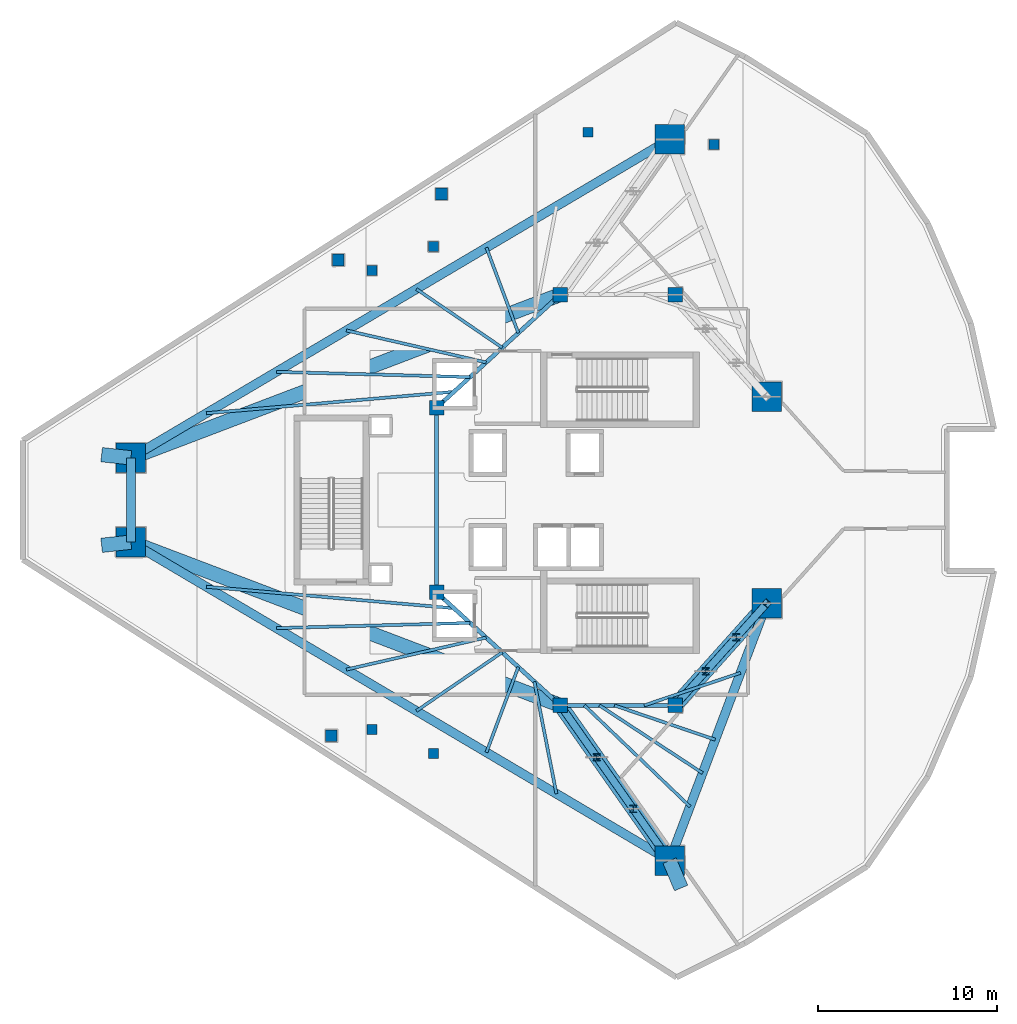
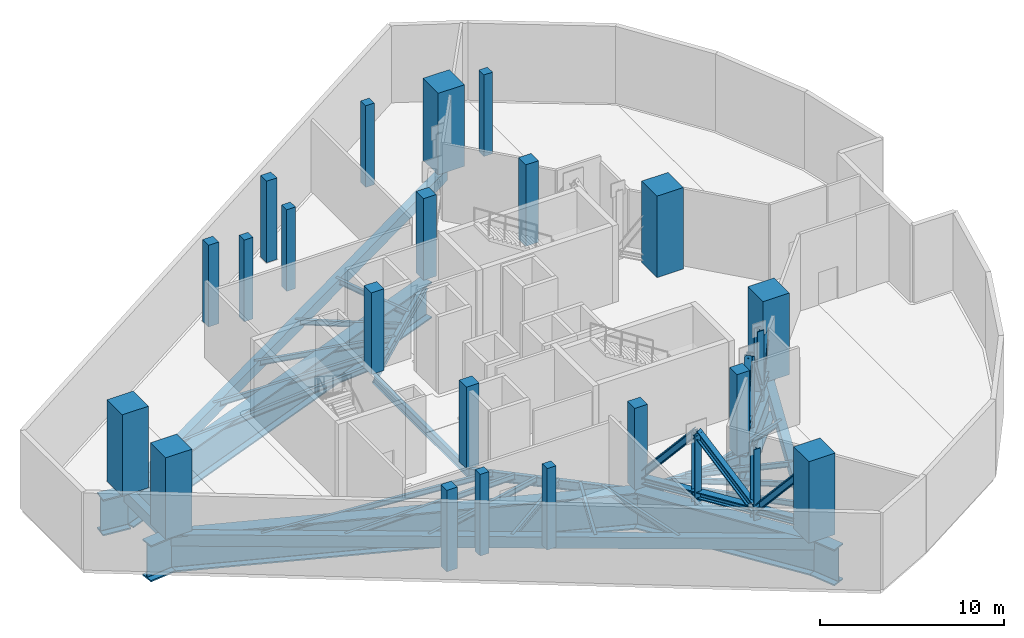
# One storey, part 1 of 9: 30 beams, 21 columns, 16 members.
"""IFC4 building model written with IfcOpenShell, lengths in metres."""

import ifcopenshell
import ifcopenshell.guid

model = None  # the IFC model being written
_history = None  # IfcOwnerHistory: only IFC2X3 demands one
_inside = {}  # id of a spatial element -> (the spatial element, [elements in it])
_under = {}  # id of a project, library or spatial element -> (it, [spatial elements below it])
_declared = {}  # id of a project -> (the project, [libraries it declares])
_typed = {}  # id of a type object -> (the type object, [elements of that type])
_made_of = {}  # id of a material, layer set ... -> (it, [elements and type objects made of it])


def new_model(schema):
    """Start an empty IFC model of exactly this schema.

    Asked for "IFC4X3", IfcOpenShell would pick the latest addendum, in which some entities
    have other attributes; the version numbers below select the first issue.
    IFC2X3 requires an IfcOwnerHistory on every rooted entity: one is made here for all.
    """
    global model, _history
    if schema == "IFC4X3":
        model = ifcopenshell.file(schema_version=(4, 3, 0, 0))
    else:
        model = ifcopenshell.file(schema=schema)
    _inside.clear()
    _under.clear()
    _declared.clear()
    _typed.clear()
    _made_of.clear()
    _history = None
    if model.schema == "IFC2X3":
        org = make("IfcOrganization", Name="unknown")
        user = make(
            "IfcPersonAndOrganization",
            ThePerson=make("IfcPerson", FamilyName="unknown"),
            TheOrganization=org,
        )
        app = make(
            "IfcApplication",
            ApplicationDeveloper=org,
            Version="unknown",
            ApplicationFullName="unknown",
            ApplicationIdentifier="unknown",
        )
        _history = make(
            "IfcOwnerHistory",
            OwningUser=user,
            OwningApplication=app,
            ChangeAction="ADDED",
            CreationDate=0,
        )
    return model


def make(cls, **values):
    """One entity of the class cls with the attributes given. An attribute that is None is left unset."""
    return model.create_entity(
        cls, **{name: value for name, value in values.items() if value is not None}
    )


def rooted(cls, **values):
    """An entity with a GlobalId (a new one), such as an element, a storey or a relation."""
    return make(cls, GlobalId=ifcopenshell.guid.new(), OwnerHistory=_history, **values)


def si_unit(unit_type, name, prefix=None):
    """IfcSIUnit, for example si_unit("LENGTHUNIT", "METRE", prefix="MILLI")."""
    return make("IfcSIUnit", UnitType=unit_type, Prefix=prefix, Name=name)


def assignment(units):
    """IfcUnitAssignment: the units of a project."""
    return None if units is None else make("IfcUnitAssignment", Units=units)


def point(xyz):
    """IfcCartesianPoint."""
    return None if xyz is None else make("IfcCartesianPoint", Coordinates=xyz)


def direction(xyz):
    """IfcDirection."""
    return None if xyz is None else make("IfcDirection", DirectionRatios=xyz)


def frame(location, z_axis=None, x_axis=None):
    """IfcAxis2Placement3D, a coordinate frame: its origin and axes. An axis left out is left unset."""
    return make(
        "IfcAxis2Placement3D",
        Location=point(location),
        Axis=direction(z_axis),
        RefDirection=direction(x_axis),
    )


def frame_2d(location, x_axis=None):
    """IfcAxis2Placement2D, a coordinate frame in the plane: its origin and x axis."""
    return make(
        "IfcAxis2Placement2D", Location=point(location), RefDirection=direction(x_axis)
    )


def origin():
    """The frame at (0, 0, 0) with its axes left unset."""
    return frame((0.0, 0.0, 0.0))


def origin_2d():
    """The frame at (0, 0) in the plane with its x axis left unset."""
    return frame_2d((0.0, 0.0))


def place(relative_to, where):
    """IfcLocalPlacement: puts the frame where relative to a parent placement (None: the world)."""
    return make(
        "IfcLocalPlacement", PlacementRelTo=relative_to, RelativePlacement=where
    )


def context(
    kind, dimensions, precision=None, world=None, true_north=None, identifier=None
):
    """IfcGeometricRepresentationContext, for example the 3D "Model" context."""
    return make(
        "IfcGeometricRepresentationContext",
        ContextIdentifier=identifier,
        ContextType=kind,
        CoordinateSpaceDimension=dimensions,
        Precision=precision,
        WorldCoordinateSystem=world,
        TrueNorth=true_north,
    )


def subcontext(parent, identifier, kind, view, scale=None):
    """IfcGeometricRepresentationSubContext, for example "Body" below "Model"."""
    return make(
        "IfcGeometricRepresentationSubContext",
        ContextIdentifier=identifier,
        ContextType=kind,
        ParentContext=parent,
        TargetScale=scale,
        TargetView=view,
    )


def project(units=None, contexts=None):
    """IfcProject with its units and contexts."""
    return rooted(
        "IfcProject",
        Name="project",
        RepresentationContexts=contexts,
        UnitsInContext=assignment(units),
    )


def spatial(cls, under=None, at=None, **own):
    """A site, building, storey or space (cls), placed at a placement, below another one or the project."""
    s = rooted(cls, ObjectPlacement=at, **own)
    if under is not None:
        _under.setdefault(under.id(), (under, []))[1].append(s)
    return s


def profile(cls, at=None, kind="AREA", **sizes):
    """A parametric profile (cls). Its sizes go by their IFC names, for example OverallWidth=200.0."""
    return make(cls, ProfileType=kind, Position=at, **sizes)


def rectangle(**sizes):
    """IfcRectangleProfileDef."""
    return profile("IfcRectangleProfileDef", **sizes)


def i_section(**sizes):
    """IfcIShapeProfileDef."""
    return profile("IfcIShapeProfileDef", **sizes)


def extrude(swept, where, along, depth):
    """IfcExtrudedAreaSolid: the profile swept, set in the frame where, extruded along a direction by depth."""
    return make(
        "IfcExtrudedAreaSolid",
        SweptArea=swept,
        Position=where,
        ExtrudedDirection=direction(along),
        Depth=depth,
    )


def shape(context_of_items, identifier, shape_type, items):
    """IfcShapeRepresentation: the items that make up one representation, for example the "Body"."""
    return make(
        "IfcShapeRepresentation",
        ContextOfItems=context_of_items,
        RepresentationIdentifier=identifier,
        RepresentationType=shape_type,
        Items=items,
    )


def material(Name=None, Category=None):
    """IfcMaterial."""
    return make("IfcMaterial", Name=Name, Category=Category)


def material_profile(
    of_material, cross_section, Name=None, Category=None, Priority=None
):
    """IfcMaterialProfile: a cross section and its material."""
    return make(
        "IfcMaterialProfile",
        Name=Name,
        Material=of_material,
        Profile=cross_section,
        Priority=Priority,
        Category=Category,
    )


def profile_set(profiles, Name=None, composite=None):
    """IfcMaterialProfileSet."""
    return make(
        "IfcMaterialProfileSet",
        Name=Name,
        MaterialProfiles=profiles,
        CompositeProfile=composite,
    )


def made_of(thing, what):
    """Note that an element or type object is made of a material, layer set ...; save() writes the relation."""
    if what is not None:
        _made_of.setdefault(what.id(), (what, []))[1].append(thing)
    return thing


def type_object(cls, material=None, **own):
    """A type object (cls), such as IfcWallType, which elements share."""
    return made_of(rooted(cls, **own), material)


def element(
    cls,
    number,
    at=None,
    inside=None,
    cuts=None,
    type_object=None,
    material=None,
    context=None,
    identifier="Body",
    shape_type=None,
    held_by="IfcProductDefinitionShape",
    body=None,
    shapes=None,
    **own,
):
    """One element of the class cls, such as IfcWall. Its Tag is "e" and its number.

    at: its placement. inside: the storey or other place that contains it. cuts: it is an
    opening in that element (IfcRelVoidsElement). A single representation is given by context,
    identifier, shape_type and body (its items); several are given by shapes. held_by: the class
    of the entity that holds the representations. save() writes the other relations.
    """
    e = rooted(cls, Tag="e%d" % number, ObjectPlacement=at, **own)
    if body is not None:
        shapes = [shape(context, identifier, shape_type, body)]
    if shapes is not None:
        e.Representation = make(held_by, Representations=shapes)
    if inside is not None:
        _inside.setdefault(inside.id(), (inside, []))[1].append(e)
    if cuts is not None:
        rooted(
            "IfcRelVoidsElement", RelatingBuildingElement=cuts, RelatedOpeningElement=e
        )
    if type_object is not None:
        _typed.setdefault(type_object.id(), (type_object, []))[1].append(e)
    return made_of(e, material)


def aggregate(whole, parts):
    """IfcRelAggregates: a whole, such as a stair, and the parts it consists of."""
    return rooted("IfcRelAggregates", RelatingObject=whole, RelatedObjects=parts)


def save(model, path):
    """Write the relations noted so far, then the file.

    IfcRelAggregates (storeys below a building ...), IfcRelContainedInSpatialStructure (elements
    in a storey), IfcRelDefinesByType, IfcRelAssociatesMaterial and IfcRelDeclares: one each for
    every whole, place, type object, material and project.
    """
    for whole, parts in _under.values():
        aggregate(whole, parts)
    for where, things in _inside.values():
        rooted(
            "IfcRelContainedInSpatialStructure",
            RelatedElements=things,
            RelatingStructure=where,
        )
    for kind, things in _typed.values():
        rooted("IfcRelDefinesByType", RelatedObjects=things, RelatingType=kind)
    for what, things in _made_of.values():
        rooted("IfcRelAssociatesMaterial", RelatedObjects=things, RelatingMaterial=what)
    for by, libraries in _declared.values():
        rooted("IfcRelDeclares", RelatingContext=by, RelatedDefinitions=libraries)
    model.write(path)


model = new_model("IFC4")

# Units and contexts
model_context = context("Model", 3, precision=1e-05, world=origin(), true_north=direction((0.0, 1.0)))
body_context = subcontext(model_context, "Body", "Model", "MODEL_VIEW")
ifc_project = project(units=[si_unit("LENGTHUNIT", "METRE"), si_unit("AREAUNIT", "SQUARE_METRE"), si_unit("VOLUMEUNIT", "CUBIC_METRE"), si_unit("PLANEANGLEUNIT", "RADIAN"), si_unit("MASSUNIT", "GRAM", prefix="KILO")], contexts=[model_context])

# Site, building, storey
site_placement = place(None, origin())
site = spatial("IfcSite", under=ifc_project, at=site_placement, CompositionType="ELEMENT")
building_placement = place(site_placement, origin())
building = spatial("IfcBuilding", under=site, at=building_placement, Name="Qorvath Tower", CompositionType="ELEMENT")
storey_placement = place(building_placement, frame((0.0, 0.0, 249.60009765625)))
storey = spatial("IfcBuildingStorey", under=building, at=storey_placement, Name="L58", CompositionType="ELEMENT", Elevation=249.60009765625)

# Columns
ifc_material_1 = material(Name="Concrete C60/75", Category="concrete")
ifc_material_profile_1 = material_profile(ifc_material_1, rectangle(XDim=1.64990234375, YDim=1.64990234375, at=origin_2d()), Name="MC 1650x1650")
ifc_profile_set_1 = profile_set([ifc_material_profile_1], Name="Concrete C60/75")
column_type_1 = type_object("IfcColumnType", Name="COL-MC5", PredefinedType="COLUMN", material=ifc_profile_set_1)
for number, where, z_axis, x_axis, name in (
    (1, (-47.53759765625, 2.349609375, 0.0), (0.0, 0.0, 1.0), (1.0, 0.0, 0.0), "Composite Mega-Column MC1 L58"),
    (2, (-47.53759765625, -2.349609375, 0.0), (0.0, 0.0, 1.0), (1.0, 0.0, 0.0), "Composite Mega-Column MC2 L58"),
    (3, (-17.515380859375, -20.1015625, 0.0), (0.0, 0.0, 1.0), (1.0, 0.0, 0.0), "Composite Mega-Column MC3 L58"),
    (4, (-12.0966796875, -5.7578125, 0.0), (0.0, 0.0, 1.0), (1.0, 0.0, 0.0), "Composite Mega-Column MC4 L58"),
    (5, (-12.0966796875, 5.7578125, 0.0), (0.0, 0.0, 1.0), (1.0, 0.0, 0.0), "Composite Mega-Column MC5 L58"),
    (6, (-17.515380859375, 20.1015625, 0.0), (0.0, 0.0, 1.0), (1.0, 0.0, 0.0), "Composite Mega-Column MC6 L58"),
):
    element("IfcColumn", number, at=place(storey_placement, frame(where, z_axis=z_axis, x_axis=x_axis)), inside=storey, type_object=column_type_1, Name=name, PredefinedType="COLUMN", context=body_context, shape_type="SweptSolid", body=[
        extrude(rectangle(XDim=1.64990234375, YDim=1.64990234375, at=origin_2d()), origin(), (0.0, 0.0, 1.0), 5.39990234375),
    ])
ifc_material_2 = material(Name="Concrete C50/60", Category="concrete")
ifc_material_profile_2 = material_profile(ifc_material_2, rectangle(XDim=0.800048828125, YDim=0.800048828125, at=origin_2d()), Name="RC 800x800")
ifc_profile_set_2 = profile_set([ifc_material_profile_2], Name="Concrete C50/60")
column_type_2 = type_object("IfcColumnType", Name="COL-RC4", PredefinedType="COLUMN", material=ifc_profile_set_2)
for number, where, z_axis, x_axis, name in (
    (7, (-23.60009765625, 11.449951171875, 0.0), (0.0, 0.0, 1.0), (1.0, 0.0, 0.0), "Core Spine Column CC1 L58"),
    (8, (-17.199951171875, 11.449951171875, 0.0), (0.0, 0.0, 1.0), (1.0, 0.0, 0.0), "Core Spine Column CC2 L58"),
    (9, (-17.199951171875, -11.449951171875, 0.0), (0.0, 0.0, 1.0), (1.0, 0.0, 0.0), "Core Spine Column CC3 L58"),
    (10, (-23.60009765625, -11.449951171875, 0.0), (0.0, 0.0, 1.0), (1.0, 0.0, 0.0), "Core Spine Column CC4 L58"),
    (11, (-30.5, 5.14990234375, 0.0), (0.0, 0.0, 1.0), (1.0, 0.0, 0.0), "Core Spine Column CC5 L58"),
    (12, (-30.5, -5.14990234375, 0.0), (0.0, 0.0, 1.0), (1.0, 0.0, 0.0), "Core Spine Column CC6 L58"),
):
    element("IfcColumn", number, at=place(storey_placement, frame(where, z_axis=z_axis, x_axis=x_axis)), inside=storey, type_object=column_type_2, Name=name, PredefinedType="COLUMN", context=body_context, shape_type="SweptSolid", body=[
        extrude(rectangle(XDim=0.800048828125, YDim=0.800048828125, at=origin_2d()), origin(), (0.0, 0.0, 1.0), 5.39990234375),
    ])
ifc_material_3 = material(Name="Concrete C45/55", Category="concrete")
ifc_material_profile_3 = material_profile(ifc_material_3, rectangle(XDim=0.64990234375, YDim=0.64990234375, at=origin_2d()), Name="RC 650x650")
ifc_profile_set_3 = profile_set([ifc_material_profile_3], Name="Concrete C45/55")
column_type_3 = type_object("IfcColumnType", Name="COL-RC6", PredefinedType="COLUMN", material=ifc_profile_set_3)
for number, where, z_axis, x_axis, name in (
    (13, (-35.980712890625, 13.380859375, 0.0), (0.0, 0.0, 1.0), (1.0, 0.0, 0.0), "Loggia Frame Pier Column LGF1 L58"),
    (14, (-36.36474609375, -13.135498046875, 0.0), (0.0, 0.0, 1.0), (1.0, 0.0, 0.0), "Loggia Frame Pier Column LGF2 L58"),
    (15, (-30.224853515625, 17.0595703125, 0.0), (0.0, 0.0, 1.0), (1.0, 0.0, 0.0), "Loggia Frame Pier Column LGF3 L58"),
):
    element("IfcColumn", number, at=place(storey_placement, frame(where, z_axis=z_axis, x_axis=x_axis)), inside=storey, type_object=column_type_3, Name=name, PredefinedType="COLUMN", context=body_context, shape_type="SweptSolid", body=[
        extrude(rectangle(XDim=0.64990234375, YDim=0.64990234375, at=origin_2d()), origin(), (0.0, 0.0, 1.0), 5.39990234375),
    ])
ifc_material_4 = material(Name="Concrete C45/55", Category="concrete")
ifc_material_profile_4 = material_profile(ifc_material_4, rectangle(XDim=0.550048828125, YDim=0.550048828125, at=origin_2d()), Name="RC 550x550")
ifc_profile_set_4 = profile_set([ifc_material_profile_4], Name="Concrete C45/55")
column_type_4 = type_object("IfcColumnType", Name="COL-RC7", PredefinedType="COLUMN", material=ifc_profile_set_4)
for number, where, z_axis, x_axis, name in (
    (16, (-34.104248046875, 12.79248046875, 0.0), (0.0, 0.0, 1.0), (1.0, 0.0, 0.0), "Loggia Frame Pier Column LGG1 L58"),
    (17, (-34.104248046875, -12.79248046875, 0.0), (0.0, 0.0, 1.0), (1.0, 0.0, 0.0), "Loggia Frame Pier Column LGG2 L58"),
    (18, (-22.05322265625, 20.494873046875, 0.0), (0.0, 0.0, 1.0), (1.0, 0.0, 0.0), "Loggia Frame Pier Column LGG3 L58"),
    (19, (-30.67724609375, 14.124267578125, 0.0), (0.0, 0.0, 1.0), (1.0, 0.0, 0.0), "Loggia Frame Pier Column LGH1 L58"),
    (20, (-30.67724609375, -14.124267578125, 0.0), (0.0, 0.0, 1.0), (1.0, 0.0, 0.0), "Loggia Frame Pier Column LGH2 L58"),
    (21, (-15.046142578125, 19.818115234375, 0.0), (0.0, 0.0, 1.0), (1.0, 0.0, 0.0), "Loggia Frame Pier Column LGH3 L58"),
):
    element("IfcColumn", number, at=place(storey_placement, frame(where, z_axis=z_axis, x_axis=x_axis)), inside=storey, type_object=column_type_4, Name=name, PredefinedType="COLUMN", context=body_context, shape_type="SweptSolid", body=[
        extrude(rectangle(XDim=0.550048828125, YDim=0.550048828125, at=origin_2d()), origin(), (0.0, 0.0, 1.0), 5.39990234375),
    ])

# Beams
ifc_material_5 = material(Name="Steel ASTM A992 Grade 50", Category="steel")
ifc_material_profile_5 = material_profile(ifc_material_5, i_section(OverallWidth=0.22998046875, OverallDepth=0.616943359375, WebThickness=0.01318359375, FlangeThickness=0.022216796875, FilletRadius=0.014892578125, at=origin_2d()), Name="W24x94")
ifc_profile_set_5 = profile_set([ifc_material_profile_5], Name="Steel ASTM A992 Grade 50")
beam_type_1 = type_object("IfcBeamType", Name="BM-FG6", PredefinedType="BEAM", material=ifc_profile_set_5)
beam_1_placement = place(storey_placement, frame((-17.199951171875, -11.449951171875, -0.608642578125), z_axis=(-1.0, 0.0, 0.0), x_axis=(0.0, -1.0, 0.0)))
element("IfcBeam", 22, at=beam_1_placement, inside=storey, type_object=beam_type_1, Name="Core Ring Girder CC3-CC4 L58", PredefinedType="BEAM", context=body_context, shape_type="SweptSolid", body=[
    extrude(i_section(OverallWidth=0.22998046875, OverallDepth=0.616943359375, WebThickness=0.01318359375, FlangeThickness=0.022216796875, FilletRadius=0.014892578125, at=origin_2d()), origin(), (0.0, 0.0, 1.0), 6.400146484375),
])
beam_2_placement = place(storey_placement, frame((-23.60009765625, -11.449951171875, -0.608642578125), z_axis=(-0.73847813985, 0.6742774184, 0.0), x_axis=(-0.6742774184, -0.73847813985, 0.0)))
element("IfcBeam", 23, at=beam_2_placement, inside=storey, type_object=beam_type_1, Name="Core Ring Girder CC4-CC6 L58", PredefinedType="BEAM", context=body_context, shape_type="SweptSolid", body=[
    extrude(i_section(OverallWidth=0.22998046875, OverallDepth=0.616943359375, WebThickness=0.01318359375, FlangeThickness=0.022216796875, FilletRadius=0.014892578125, at=origin_2d()), origin(), (0.0, 0.0, 1.0), 9.343505859375),
])
beam_3_placement = place(storey_placement, frame((-30.5, -5.14990234375, -0.608642578125), z_axis=(0.0, 1.0, 0.0), x_axis=(-1.0, 0.0, 0.0)))
element("IfcBeam", 24, at=beam_3_placement, inside=storey, type_object=beam_type_1, Name="Core Ring Girder CC6-CC5 L58", PredefinedType="BEAM", context=body_context, shape_type="SweptSolid", body=[
    extrude(i_section(OverallWidth=0.22998046875, OverallDepth=0.616943359375, WebThickness=0.01318359375, FlangeThickness=0.022216796875, FilletRadius=0.014892578125, at=origin_2d()), origin(), (0.0, 0.0, 1.0), 10.2998046875),
])
beam_4_placement = place(storey_placement, frame((-30.5, 5.14990234375, -0.608642578125), z_axis=(0.73847813985, 0.6742774184, 0.0), x_axis=(-0.6742774184, 0.73847813985, 0.0)))
element("IfcBeam", 25, at=beam_4_placement, inside=storey, type_object=beam_type_1, Name="Core Ring Girder CC5-CC1 L58", PredefinedType="BEAM", context=body_context, shape_type="SweptSolid", body=[
    extrude(i_section(OverallWidth=0.22998046875, OverallDepth=0.616943359375, WebThickness=0.01318359375, FlangeThickness=0.022216796875, FilletRadius=0.014892578125, at=origin_2d()), origin(), (0.0, 0.0, 1.0), 9.343505859375),
])
ifc_material_6 = material(Name="Steel ASTM A992 Grade 50", Category="steel")
ifc_material_profile_6 = material_profile(ifc_material_6, i_section(OverallWidth=0.1708984375, OverallDepth=0.35107421875, WebThickness=0.0068359375, FlangeThickness=0.009765625, FilletRadius=0.010009765625, at=origin_2d()), Name="W14x30")
ifc_profile_set_6 = profile_set([ifc_material_profile_6], Name="Steel ASTM A992 Grade 50")
beam_type_2 = type_object("IfcBeamType", Name="BM-FJ4", PredefinedType="JOIST", material=ifc_profile_set_6)
beam_5_placement = place(storey_placement, frame((-18.927978515625, -11.449951171875, -0.4755859375), z_axis=(0.947086298547, 0.32097903842, 0.0), x_axis=(-0.32097903842, 0.947086298547, 0.0)))
element("IfcBeam", 26, at=beam_5_placement, inside=storey, type_object=beam_type_2, Name="Composite Floor Joist SE2 L58", PredefinedType="JOIST", context=body_context, shape_type="SweptSolid", body=[
    extrude(i_section(OverallWidth=0.1708984375, OverallDepth=0.35107421875, WebThickness=0.0068359375, FlangeThickness=0.009765625, FilletRadius=0.010009765625, at=origin_2d()), origin(), (0.0, 0.0, 1.0), 5.66796875),
])
beam_6_placement = place(storey_placement, frame((-20.592041015625, -11.449951171875, -0.4755859375), z_axis=(0.946863164885, -0.321636669216, 0.0), x_axis=(0.321636669216, 0.946863164885, 0.0)))
element("IfcBeam", 27, at=beam_6_placement, inside=storey, type_object=beam_type_2, Name="Composite Floor Joist SE4 L58", PredefinedType="JOIST", context=body_context, shape_type="SweptSolid", body=[
    extrude(i_section(OverallWidth=0.1708984375, OverallDepth=0.35107421875, WebThickness=0.0068359375, FlangeThickness=0.009765625, FilletRadius=0.010009765625, at=origin_2d()), origin(), (0.0, 0.0, 1.0), 5.93896484375),
])
beam_7_placement = place(storey_placement, frame((-21.424072265625, -11.449951171875, -0.4755859375), z_axis=(0.835992964387, -0.548740160272, 0.0), x_axis=(0.548740160272, 0.835992964387, 0.0)))
element("IfcBeam", 28, at=beam_7_placement, inside=storey, type_object=beam_type_2, Name="Composite Floor Joist SE5 L58", PredefinedType="JOIST", context=body_context, shape_type="SweptSolid", body=[
    extrude(i_section(OverallWidth=0.1708984375, OverallDepth=0.35107421875, WebThickness=0.0068359375, FlangeThickness=0.009765625, FilletRadius=0.010009765625, at=origin_2d()), origin(), (0.0, 0.0, 1.0), 6.879150390625),
])
beam_8_placement = place(storey_placement, frame((-22.256103515625, -11.449951171875, -0.4755859375), z_axis=(0.721625044611, -0.692284114356, 0.0), x_axis=(0.692284114356, 0.721625044611, 0.0)))
element("IfcBeam", 29, at=beam_8_placement, inside=storey, type_object=beam_type_2, Name="Composite Floor Joist SE6 L58", PredefinedType="JOIST", context=body_context, shape_type="SweptSolid", body=[
    extrude(i_section(OverallWidth=0.1708984375, OverallDepth=0.35107421875, WebThickness=0.0068359375, FlangeThickness=0.009765625, FilletRadius=0.010009765625, at=origin_2d()), origin(), (0.0, 0.0, 1.0), 8.14599609375),
])
beam_9_placement = place(storey_placement, frame((-29.533935546875, 6.031982421875, -0.4755859375), z_axis=(-0.996257895131, -0.086430355719, 0.0), x_axis=(0.086430355719, -0.996257895131, 0.0)))
element("IfcBeam", 30, at=beam_9_placement, inside=storey, type_object=beam_type_2, Name="Composite Floor Joist NW1 L58", PredefinedType="JOIST", context=body_context, shape_type="SweptSolid", body=[
    extrude(i_section(OverallWidth=0.1708984375, OverallDepth=0.35107421875, WebThickness=0.0068359375, FlangeThickness=0.009765625, FilletRadius=0.010009765625, at=origin_2d()), origin(), (0.0, 0.0, 1.0), 13.852294921875),
])
beam_10_placement = place(storey_placement, frame((-28.636962890625, 6.85107421875, -0.4755859375), z_axis=(-0.999635580213, 0.026994569327, 0.0), x_axis=(-0.026994569327, -0.999635580213, 0.0)))
element("IfcBeam", 31, at=beam_10_placement, inside=storey, type_object=beam_type_2, Name="Composite Floor Joist NW2 L58", PredefinedType="JOIST", context=body_context, shape_type="SweptSolid", body=[
    extrude(i_section(OverallWidth=0.1708984375, OverallDepth=0.35107421875, WebThickness=0.0068359375, FlangeThickness=0.009765625, FilletRadius=0.010009765625, at=origin_2d()), origin(), (0.0, 0.0, 1.0), 10.798583984375),
])
beam_11_placement = place(storey_placement, frame((-27.739990234375, 7.669921875, -0.4755859375), z_axis=(-0.974852627195, 0.222850522212, 0.0), x_axis=(-0.222850522212, -0.974852627195, 0.0)))
element("IfcBeam", 32, at=beam_11_placement, inside=storey, type_object=beam_type_2, Name="Composite Floor Joist NW3 L58", PredefinedType="JOIST", context=body_context, shape_type="SweptSolid", body=[
    extrude(i_section(OverallWidth=0.1708984375, OverallDepth=0.35107421875, WebThickness=0.0068359375, FlangeThickness=0.009765625, FilletRadius=0.010009765625, at=origin_2d()), origin(), (0.0, 0.0, 1.0), 7.98974609375),
])
beam_12_placement = place(storey_placement, frame((-26.843017578125, 8.489013671875, -0.4755859375), z_axis=(-0.82557592702, 0.564291049658, 0.0), x_axis=(-0.564291049658, -0.82557592702, 0.0)))
element("IfcBeam", 33, at=beam_12_placement, inside=storey, type_object=beam_type_2, Name="Composite Floor Joist NW4 L58", PredefinedType="JOIST", context=body_context, shape_type="SweptSolid", body=[
    extrude(i_section(OverallWidth=0.1708984375, OverallDepth=0.35107421875, WebThickness=0.0068359375, FlangeThickness=0.009765625, FilletRadius=0.010009765625, at=origin_2d()), origin(), (0.0, 0.0, 1.0), 5.793212890625),
])
beam_13_placement = place(storey_placement, frame((-25.946044921875, 9.30810546875, -0.4755859375), z_axis=(-0.349858795354, 0.936802446257, 0.0), x_axis=(-0.936802446257, -0.349858795354, 0.0)))
element("IfcBeam", 34, at=beam_13_placement, inside=storey, type_object=beam_type_2, Name="Composite Floor Joist NW5 L58", PredefinedType="JOIST", context=body_context, shape_type="SweptSolid", body=[
    extrude(i_section(OverallWidth=0.1708984375, OverallDepth=0.35107421875, WebThickness=0.0068359375, FlangeThickness=0.009765625, FilletRadius=0.010009765625, at=origin_2d()), origin(), (0.0, 0.0, 1.0), 5.078857421875),
])
beam_14_placement = place(storey_placement, frame((-29.533935546875, -6.031982421875, -0.4755859375), z_axis=(-0.996257895131, 0.086430355719, 0.0), x_axis=(-0.086430355719, -0.996257895131, 0.0)))
element("IfcBeam", 35, at=beam_14_placement, inside=storey, type_object=beam_type_2, Name="Composite Floor Joist SW1 L58", PredefinedType="JOIST", context=body_context, shape_type="SweptSolid", body=[
    extrude(i_section(OverallWidth=0.1708984375, OverallDepth=0.35107421875, WebThickness=0.0068359375, FlangeThickness=0.009765625, FilletRadius=0.010009765625, at=origin_2d()), origin(), (0.0, 0.0, 1.0), 13.852294921875),
])
beam_15_placement = place(storey_placement, frame((-28.636962890625, -6.85107421875, -0.4755859375), z_axis=(-0.999635580213, -0.026994569327, 0.0), x_axis=(0.026994569327, -0.999635580213, 0.0)))
element("IfcBeam", 36, at=beam_15_placement, inside=storey, type_object=beam_type_2, Name="Composite Floor Joist SW2 L58", PredefinedType="JOIST", context=body_context, shape_type="SweptSolid", body=[
    extrude(i_section(OverallWidth=0.1708984375, OverallDepth=0.35107421875, WebThickness=0.0068359375, FlangeThickness=0.009765625, FilletRadius=0.010009765625, at=origin_2d()), origin(), (0.0, 0.0, 1.0), 10.798583984375),
])
beam_16_placement = place(storey_placement, frame((-27.739990234375, -7.669921875, -0.4755859375), z_axis=(-0.974852627195, -0.222850522212, 0.0), x_axis=(0.222850522212, -0.974852627195, 0.0)))
element("IfcBeam", 37, at=beam_16_placement, inside=storey, type_object=beam_type_2, Name="Composite Floor Joist SW3 L58", PredefinedType="JOIST", context=body_context, shape_type="SweptSolid", body=[
    extrude(i_section(OverallWidth=0.1708984375, OverallDepth=0.35107421875, WebThickness=0.0068359375, FlangeThickness=0.009765625, FilletRadius=0.010009765625, at=origin_2d()), origin(), (0.0, 0.0, 1.0), 7.98974609375),
])
beam_17_placement = place(storey_placement, frame((-26.843017578125, -8.489013671875, -0.4755859375), z_axis=(-0.82557592702, -0.564291049658, 0.0), x_axis=(0.564291049658, -0.82557592702, 0.0)))
element("IfcBeam", 38, at=beam_17_placement, inside=storey, type_object=beam_type_2, Name="Composite Floor Joist SW4 L58", PredefinedType="JOIST", context=body_context, shape_type="SweptSolid", body=[
    extrude(i_section(OverallWidth=0.1708984375, OverallDepth=0.35107421875, WebThickness=0.0068359375, FlangeThickness=0.009765625, FilletRadius=0.010009765625, at=origin_2d()), origin(), (0.0, 0.0, 1.0), 5.793212890625),
])
beam_18_placement = place(storey_placement, frame((-25.946044921875, -9.30810546875, -0.4755859375), z_axis=(-0.349858795354, -0.936802446257, 0.0), x_axis=(0.936802446257, -0.349858795354, 0.0)))
element("IfcBeam", 39, at=beam_18_placement, inside=storey, type_object=beam_type_2, Name="Composite Floor Joist SW5 L58", PredefinedType="JOIST", context=body_context, shape_type="SweptSolid", body=[
    extrude(i_section(OverallWidth=0.1708984375, OverallDepth=0.35107421875, WebThickness=0.0068359375, FlangeThickness=0.009765625, FilletRadius=0.010009765625, at=origin_2d()), origin(), (0.0, 0.0, 1.0), 5.078857421875),
])
beam_19_placement = place(storey_placement, frame((-25.049072265625, -10.126953125, -0.4755859375), z_axis=(0.193040016911, -0.981190884523, 0.0), x_axis=(0.981190884523, 0.193040016911, 0.0)))
element("IfcBeam", 40, at=beam_19_placement, inside=storey, type_object=beam_type_2, Name="Composite Floor Joist SW6 L58", PredefinedType="JOIST", context=body_context, shape_type="SweptSolid", body=[
    extrude(i_section(OverallWidth=0.1708984375, OverallDepth=0.35107421875, WebThickness=0.0068359375, FlangeThickness=0.009765625, FilletRadius=0.010009765625, at=origin_2d()), origin(), (0.0, 0.0, 1.0), 6.366455078125),
])
ifc_material_7 = material(Name="Concrete C45/55", Category="concrete")
ifc_material_profile_7 = material_profile(ifc_material_7, rectangle(XDim=0.5, YDim=0.75, at=origin_2d()), Name="RCB 750x500")
ifc_profile_set_7 = profile_set([ifc_material_profile_7], Name="Concrete C45/55")
beam_type_3 = type_object("IfcBeamType", Name="BM-RCB3", PredefinedType="SPANDREL", material=ifc_profile_set_7)
beam_20_placement = place(storey_placement, frame((-47.53759765625, 2.349609375, -0.675048828125), z_axis=(0.0, -1.0, 0.0), x_axis=(1.0, 0.0, 0.0)))
element("IfcBeam", 41, at=beam_20_placement, inside=storey, type_object=beam_type_3, Name="Perimeter Loggia Frame Beam MC1-MC2 L58", PredefinedType="SPANDREL", context=body_context, shape_type="SweptSolid", body=[
    extrude(rectangle(XDim=0.5, YDim=0.75, at=origin_2d()), origin(), (0.0, 0.0, 1.0), 4.69921875),
])
beam_21_placement = place(storey_placement, frame((-47.53759765625, -2.349609375, -0.675048828125), z_axis=(0.860781425392, -0.50897479083, 0.0), x_axis=(0.50897479083, 0.860781425392, 0.0)))
element("IfcBeam", 42, at=beam_21_placement, inside=storey, type_object=beam_type_3, Name="Perimeter Loggia Frame Beam MC2-MC3 L58", PredefinedType="SPANDREL", context=body_context, shape_type="SweptSolid", body=[
    extrude(rectangle(XDim=0.5, YDim=0.75, at=origin_2d()), origin(), (0.0, 0.0, 1.0), 34.8779296875),
])
beam_22_placement = place(storey_placement, frame((-17.515380859375, -20.1015625, -0.675048828125), z_axis=(0.353397781952, 0.935473146441, 0.0), x_axis=(-0.935473146441, 0.353397781952, 0.0)))
element("IfcBeam", 43, at=beam_22_placement, inside=storey, type_object=beam_type_3, Name="Perimeter Loggia Frame Beam MC3-MC4 L58", PredefinedType="SPANDREL", context=body_context, shape_type="SweptSolid", body=[
    extrude(rectangle(XDim=0.5, YDim=0.75, at=origin_2d()), origin(), (0.0, 0.0, 1.0), 15.333251953125),
])
beam_23_placement = place(storey_placement, frame((-17.515380859375, 20.1015625, -0.675048828125), z_axis=(-0.860781425392, -0.50897479083, 0.0), x_axis=(0.50897479083, -0.860781425392, 0.0)))
element("IfcBeam", 44, at=beam_23_placement, inside=storey, type_object=beam_type_3, Name="Perimeter Loggia Frame Beam MC6-MC1 L58", PredefinedType="SPANDREL", context=body_context, shape_type="SweptSolid", body=[
    extrude(rectangle(XDim=0.5, YDim=0.75, at=origin_2d()), origin(), (0.0, 0.0, 1.0), 34.8779296875),
])
ifc_material_8 = material(Name="Steel ASTM A572 Grade 50", Category="steel")
ifc_material_profile_8 = material_profile(ifc_material_8, i_section(OverallWidth=0.800048828125, OverallDepth=2.39990234375, WebThickness=0.044921875, FlangeThickness=0.090087890625, FilletRadius=0.02490234375, at=origin_2d()), Name="WTG 2400x800")
ifc_profile_set_8 = profile_set([ifc_material_profile_8], Name="Steel ASTM A572 Grade 50")
beam_type_4 = type_object("IfcBeamType", Name="BM-TG2", PredefinedType="BEAM", material=ifc_profile_set_8)
beam_24_placement = place(storey_placement, frame((-49.171875, 2.52783203125, -1.5), z_axis=(0.994106251239, -0.108410152884, 0.0), x_axis=(0.108410152884, 0.994106251239, 0.0)))
element("IfcBeam", 45, at=beam_24_placement, inside=storey, type_object=beam_type_4, Name="Zone Step Transfer Tie MC1 L58", PredefinedType="BEAM", context=body_context, shape_type="SweptSolid", body=[
    extrude(i_section(OverallWidth=0.800048828125, OverallDepth=2.39990234375, WebThickness=0.044921875, FlangeThickness=0.090087890625, FilletRadius=0.02490234375, at=origin_2d()), origin(), (0.0, 0.0, 1.0), 1.64404296875),
])
beam_25_placement = place(storey_placement, frame((-47.53759765625, 2.349609375, -1.5), z_axis=(0.934730515024, 0.355357375444, 0.0), x_axis=(-0.355357375444, 0.934730515024, 0.0)))
element("IfcBeam", 46, at=beam_25_placement, inside=storey, type_object=beam_type_4, Name="Zone Step Transfer Girder CC5-MC1 L58", PredefinedType="BEAM", context=body_context, shape_type="SweptSolid", body=[
    extrude(i_section(OverallWidth=0.800048828125, OverallDepth=2.39990234375, WebThickness=0.044921875, FlangeThickness=0.090087890625, FilletRadius=0.02490234375, at=origin_2d()), origin(), (0.0, 0.0, 1.0), 25.60888671875),
])
beam_26_placement = place(storey_placement, frame((-49.171875, -2.52783203125, -1.5), z_axis=(0.994106251239, 0.108410152884, 0.0), x_axis=(-0.108410152884, 0.994106251239, 0.0)))
element("IfcBeam", 47, at=beam_26_placement, inside=storey, type_object=beam_type_4, Name="Zone Step Transfer Tie MC2 L58", PredefinedType="BEAM", context=body_context, shape_type="SweptSolid", body=[
    extrude(i_section(OverallWidth=0.800048828125, OverallDepth=2.39990234375, WebThickness=0.044921875, FlangeThickness=0.090087890625, FilletRadius=0.02490234375, at=origin_2d()), origin(), (0.0, 0.0, 1.0), 1.64404296875),
])
beam_27_placement = place(storey_placement, frame((-47.53759765625, -2.349609375, -1.5), z_axis=(0.934730515024, -0.355357375444, 0.0), x_axis=(0.355357375444, 0.934730515024, 0.0)))
element("IfcBeam", 48, at=beam_27_placement, inside=storey, type_object=beam_type_4, Name="Zone Step Transfer Girder CC6-MC2 L58", PredefinedType="BEAM", context=body_context, shape_type="SweptSolid", body=[
    extrude(i_section(OverallWidth=0.800048828125, OverallDepth=2.39990234375, WebThickness=0.044921875, FlangeThickness=0.090087890625, FilletRadius=0.02490234375, at=origin_2d()), origin(), (0.0, 0.0, 1.0), 25.60888671875),
])
beam_28_placement = place(storey_placement, frame((-16.87158203125, -21.627197265625, -1.5), z_axis=(-0.38878850683, 0.921327030406, 0.0), x_axis=(-0.921327030406, -0.38878850683, 0.0)))
element("IfcBeam", 49, at=beam_28_placement, inside=storey, type_object=beam_type_4, Name="Zone Step Transfer Tie MC3 L58", PredefinedType="BEAM", context=body_context, shape_type="SweptSolid", body=[
    extrude(i_section(OverallWidth=0.800048828125, OverallDepth=2.39990234375, WebThickness=0.044921875, FlangeThickness=0.090087890625, FilletRadius=0.02490234375, at=origin_2d()), origin(), (0.0, 0.0, 1.0), 1.656005859375),
])
beam_29_placement = place(storey_placement, frame((-17.515380859375, -20.1015625, -1.5), z_axis=(-0.575274974004, 0.81796008722, 0.0), x_axis=(-0.81796008722, -0.575274974004, 0.0)))
element("IfcBeam", 50, at=beam_29_placement, inside=storey, type_object=beam_type_4, Name="Zone Step Transfer Girder CC4-MC3 L58", PredefinedType="BEAM", context=body_context, shape_type="SweptSolid", body=[
    extrude(i_section(OverallWidth=0.800048828125, OverallDepth=2.39990234375, WebThickness=0.044921875, FlangeThickness=0.090087890625, FilletRadius=0.02490234375, at=origin_2d()), origin(), (0.0, 0.0, 1.0), 10.5771484375),
])
beam_30_placement = place(storey_placement, frame((-12.0966796875, -5.7578125, -1.5), z_axis=(-0.667543184261, -0.744571082669, 0.0), x_axis=(0.744571082669, -0.667543184261, 0.0)))
element("IfcBeam", 51, at=beam_30_placement, inside=storey, type_object=beam_type_4, Name="Zone Step Transfer Girder CC3-MC4 L58", PredefinedType="BEAM", context=body_context, shape_type="SweptSolid", body=[
    extrude(i_section(OverallWidth=0.800048828125, OverallDepth=2.39990234375, WebThickness=0.044921875, FlangeThickness=0.090087890625, FilletRadius=0.02490234375, at=origin_2d()), origin(), (0.0, 0.0, 1.0), 7.644775390625),
])

# Members
ifc_material_9 = material(Name="Steel ASTM A913 Grade 65", Category="steel")
ifc_material_profile_9 = material_profile(ifc_material_9, i_section(OverallWidth=0.4189453125, OverallDepth=0.455078125, WebThickness=0.0419921875, FlangeThickness=0.067626953125, FilletRadius=0.02490234375, at=origin_2d()), Name="W14x370")
ifc_profile_set_9 = profile_set([ifc_material_profile_9], Name="Steel ASTM A913 Grade 65")
member_type_1 = type_object("IfcMemberType", Name="MEM-OT2", PredefinedType="CHORD", material=ifc_profile_set_9)
member_1_placement = place(storey_placement, frame((-17.199951171875, -11.449951171875, 0.449951171875), z_axis=(0.66753952077, 0.744574367146, 0.0), x_axis=(-0.744574367146, 0.66753952077, 0.0)))
element("IfcMember", 52, at=member_1_placement, inside=storey, type_object=member_type_1, Name="Outrigger and Belt Truss Bottom Chord OB3-3.1", PredefinedType="CHORD", context=body_context, shape_type="SweptSolid", body=[
    extrude(i_section(OverallWidth=0.4189453125, OverallDepth=0.455078125, WebThickness=0.0419921875, FlangeThickness=0.067626953125, FilletRadius=0.02490234375, at=origin_2d()), origin(), (0.0, 0.0, 1.0), 2.548095703125),
])
for number, where, z_axis, x_axis, name in (
    (53, (-15.4990234375, -9.552734375, 0.449951171875), (0.667545015752, 0.744569440646, 0.0), (-0.744569440646, 0.667545015752, 0.0), "Outrigger and Belt Truss Bottom Chord OB3-3.2"),
    (54, (-13.7978515625, -7.6552734375, 0.449951171875), (0.667545015752, 0.744569440646, 0.0), (-0.744569440646, 0.667545015752, 0.0), "Outrigger and Belt Truss Bottom Chord OB3-3.3"),
):
    element("IfcMember", number, at=place(storey_placement, frame(where, z_axis=z_axis, x_axis=x_axis)), inside=storey, type_object=member_type_1, Name=name, PredefinedType="CHORD", context=body_context, shape_type="SweptSolid", body=[
        extrude(i_section(OverallWidth=0.4189453125, OverallDepth=0.455078125, WebThickness=0.0419921875, FlangeThickness=0.067626953125, FilletRadius=0.02490234375, at=origin_2d()), origin(), (0.0, 0.0, 1.0), 2.54833984375),
    ])
member_2_placement = place(storey_placement, frame((-23.60009765625, -11.449951171875, 0.449951171875), z_axis=(0.575268694935, -0.817964503281, 0.0), x_axis=(0.817964503281, 0.575268694935, 0.0)))
element("IfcMember", 55, at=member_2_placement, inside=storey, type_object=member_type_1, Name="Outrigger and Belt Truss Bottom Chord OB3-4.1", PredefinedType="CHORD", context=body_context, shape_type="SweptSolid", body=[
    extrude(i_section(OverallWidth=0.4189453125, OverallDepth=0.455078125, WebThickness=0.0419921875, FlangeThickness=0.067626953125, FilletRadius=0.02490234375, at=origin_2d()), origin(), (0.0, 0.0, 1.0), 3.52587890625),
])
for number, where, z_axis, x_axis, name in (
    (56, (-21.57177734375, -14.333984375, 0.449951171875), (0.575254947697, -0.817974171445, 0.0), (0.817974171445, 0.575254947697, 0.0), "Outrigger and Belt Truss Bottom Chord OB3-4.2"),
    (57, (-19.543701171875, -17.2177734375, 0.449951171875), (0.575301278452, -0.817941586552, 0.0), (0.817941586552, 0.575301278452, 0.0), "Outrigger and Belt Truss Bottom Chord OB3-4.3"),
):
    element("IfcMember", number, at=place(storey_placement, frame(where, z_axis=z_axis, x_axis=x_axis)), inside=storey, type_object=member_type_1, Name=name, PredefinedType="CHORD", context=body_context, shape_type="SweptSolid", body=[
        extrude(i_section(OverallWidth=0.4189453125, OverallDepth=0.455078125, WebThickness=0.0419921875, FlangeThickness=0.067626953125, FilletRadius=0.02490234375, at=origin_2d()), origin(), (0.0, 0.0, 1.0), 3.525634765625),
    ])
ifc_material_10 = material(Name="Steel ASTM A913 Grade 65", Category="steel")
ifc_material_profile_10 = material_profile(ifc_material_10, i_section(OverallWidth=0.406005859375, OverallDepth=0.416015625, WebThickness=0.02978515625, FlangeThickness=0.048095703125, FilletRadius=0.02490234375, at=origin_2d()), Name="W14x257")
ifc_profile_set_10 = profile_set([ifc_material_profile_10], Name="Steel ASTM A913 Grade 65")
member_type_2 = type_object("IfcMemberType", Name="MEM-OT3", PredefinedType="BRACE", material=ifc_profile_set_10)
for number, where, z_axis, x_axis, name in (
    (58, (-15.4990234375, -9.552734375, -0.150146484375), (0.0, 0.0, 1.0), (1.0, 0.0, 0.0), "Outrigger and Belt Truss Post OB3-3.1"),
    (59, (-13.7978515625, -7.6552734375, -0.150146484375), (0.0, 0.0, 1.0), (1.0, 0.0, 0.0), "Outrigger and Belt Truss Post OB3-3.2"),
):
    element("IfcMember", number, at=place(storey_placement, frame(where, z_axis=z_axis, x_axis=x_axis)), inside=storey, type_object=member_type_2, Name=name, PredefinedType="BRACE", context=body_context, shape_type="SweptSolid", body=[
        extrude(i_section(OverallWidth=0.406005859375, OverallDepth=0.416015625, WebThickness=0.02978515625, FlangeThickness=0.048095703125, FilletRadius=0.02490234375, at=origin_2d()), origin(), (0.0, 0.0, 1.0), 4.699951171875),
    ])
member_3_placement = place(storey_placement, frame((-17.199951171875, -11.449951171875, 0.449951171875), z_axis=(0.352366805596, 0.39303034969, 0.849331960152), x_axis=(-0.744574367146, 0.66753952077, 0.0)))
element("IfcMember", 60, at=member_3_placement, inside=storey, type_object=member_type_2, Name="Outrigger and Belt Truss Web Diagonal OB3-3.1", PredefinedType="BRACE", context=body_context, shape_type="SweptSolid", body=[
    extrude(i_section(OverallWidth=0.406005859375, OverallDepth=0.416015625, WebThickness=0.02978515625, FlangeThickness=0.048095703125, FilletRadius=0.02490234375, at=origin_2d()), origin(), (0.0, 0.0, 1.0), 4.8271484375),
])
for number, where, z_axis, x_axis, name in (
    (61, (-13.7978515625, -7.6552734375, 0.449951171875), (-0.352404095994, -0.393066107071, 0.849299940303), (0.744569440646, -0.667545015752, 0.0), "Outrigger and Belt Truss Web Diagonal OB3-3.2"),
    (62, (-13.7978515625, -7.6552734375, 0.449951171875), (0.352404095994, 0.393066107071, 0.849299940303), (-0.744569440646, 0.667545015752, 0.0), "Outrigger and Belt Truss Web Diagonal OB3-3.3"),
):
    element("IfcMember", number, at=place(storey_placement, frame(where, z_axis=z_axis, x_axis=x_axis)), inside=storey, type_object=member_type_2, Name=name, PredefinedType="BRACE", context=body_context, shape_type="SweptSolid", body=[
        extrude(i_section(OverallWidth=0.406005859375, OverallDepth=0.416015625, WebThickness=0.02978515625, FlangeThickness=0.048095703125, FilletRadius=0.02490234375, at=origin_2d()), origin(), (0.0, 0.0, 1.0), 4.827392578125),
    ])
for number, where, z_axis, x_axis, name in (
    (63, (-21.57177734375, -14.333984375, -0.150146484375), (0.0, 0.0, 1.0), (1.0, 0.0, 0.0), "Outrigger and Belt Truss Post OB3-4.1"),
    (64, (-19.543701171875, -17.2177734375, -0.150146484375), (0.0, 0.0, 1.0), (1.0, 0.0, 0.0), "Outrigger and Belt Truss Post OB3-4.2"),
):
    element("IfcMember", number, at=place(storey_placement, frame(where, z_axis=z_axis, x_axis=x_axis)), inside=storey, type_object=member_type_2, Name=name, PredefinedType="BRACE", context=body_context, shape_type="SweptSolid", body=[
        extrude(i_section(OverallWidth=0.406005859375, OverallDepth=0.416015625, WebThickness=0.02978515625, FlangeThickness=0.048095703125, FilletRadius=0.02490234375, at=origin_2d()), origin(), (0.0, 0.0, 1.0), 4.699951171875),
    ])
member_4_placement = place(storey_placement, frame((-23.60009765625, -11.449951171875, 0.449951171875), z_axis=(0.375097286446, -0.533344275974, 0.758185932992), x_axis=(0.817964503281, 0.575268694935, 0.0)))
element("IfcMember", 65, at=member_4_placement, inside=storey, type_object=member_type_2, Name="Outrigger and Belt Truss Web Diagonal OB3-4.1", PredefinedType="BRACE", context=body_context, shape_type="SweptSolid", body=[
    extrude(i_section(OverallWidth=0.406005859375, OverallDepth=0.416015625, WebThickness=0.02978515625, FlangeThickness=0.048095703125, FilletRadius=0.02490234375, at=origin_2d()), origin(), (0.0, 0.0, 1.0), 5.407470703125),
])
for number, where, z_axis, x_axis, name in (
    (66, (-19.543701171875, -17.2177734375, 0.449951171875), (-0.375067520525, 0.533321000655, 0.758217030478), (-0.817974171445, -0.575254947697, 0.0), "Outrigger and Belt Truss Web Diagonal OB3-4.2"),
    (67, (-19.543701171875, -17.2177734375, 0.449951171875), (0.375106318704, -0.533311968768, 0.758204189936), (0.817941586552, 0.575301278452, 0.0), "Outrigger and Belt Truss Web Diagonal OB3-4.3"),
):
    element("IfcMember", number, at=place(storey_placement, frame(where, z_axis=z_axis, x_axis=x_axis)), inside=storey, type_object=member_type_2, Name=name, PredefinedType="BRACE", context=body_context, shape_type="SweptSolid", body=[
        extrude(i_section(OverallWidth=0.406005859375, OverallDepth=0.416015625, WebThickness=0.02978515625, FlangeThickness=0.048095703125, FilletRadius=0.02490234375, at=origin_2d()), origin(), (0.0, 0.0, 1.0), 5.4072265625),
    ])

save(model, "model.ifc")
